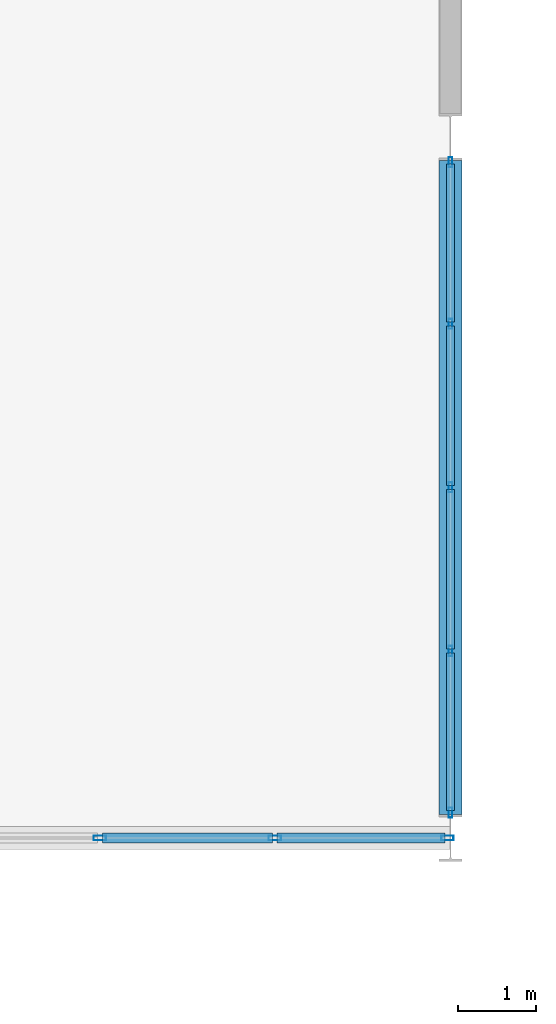
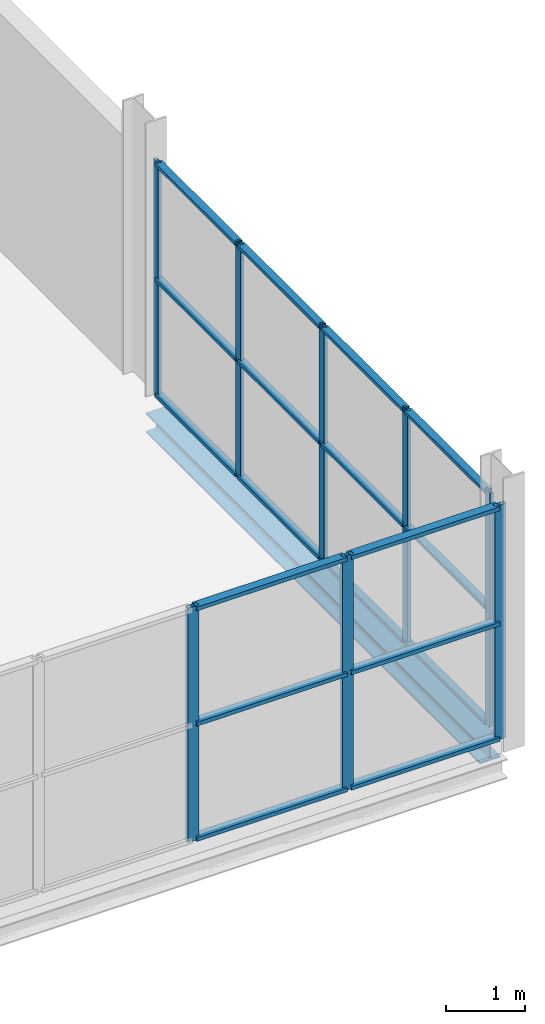
# One storey, part 21 of 44: 26 members, 1 beam, 2 elements without a shape of their own.
"""IFC4 building model written with IfcOpenShell, lengths in metres."""

from ifc_helpers import new_model, si_unit, direction, frame, origin, origin_2d, place, context, subcontext, project, spatial, hollow_rectangle, i_section, extrude, material, layer, layer_set, material_profile, profile_set, type_object, element, aggregate, save


model = new_model("IFC4")

# Units and contexts
model_context = context("Model", 3, precision=1e-05, world=origin(), true_north=direction((0.0, 1.0)))
body_context = subcontext(model_context, "Body", "Model", "MODEL_VIEW")
ifc_project = project(units=[si_unit("LENGTHUNIT", "METRE"), si_unit("AREAUNIT", "SQUARE_METRE"), si_unit("VOLUMEUNIT", "CUBIC_METRE"), si_unit("PLANEANGLEUNIT", "RADIAN"), si_unit("MASSUNIT", "GRAM", prefix="KILO")], contexts=[model_context])

# Site, building, storey
site_placement = place(None, origin())
site = spatial("IfcSite", under=ifc_project, at=site_placement, CompositionType="ELEMENT")
building_placement = place(site_placement, origin())
building = spatial("IfcBuilding", under=site, at=building_placement, Name="Deido Ridge Mobility Hub", CompositionType="ELEMENT")
storey_placement = place(building_placement, frame((0.0, 0.0, 25.199951171875)))
storey = spatial("IfcBuildingStorey", under=building, at=storey_placement, Name="L06", CompositionType="ELEMENT", Elevation=25.199951171875)

# Curtain wall, members
ifc_material_1 = material(Name="Anodised aluminium EN AW-6063 T6", Category="aluminium")
ifc_layer_1 = layer(ifc_material_1, 0.1650390625, Name="Anodised aluminium EN AW-6063 T6")
ifc_layer_set_1 = layer_set([ifc_layer_1], Name="Anodised aluminium EN AW-6063 T6")
curtain_wall_type_1 = type_object("IfcCurtainWallType", Name="CW-UF-1", PredefinedType="USERDEFINED", material=ifc_layer_set_1)
curtain_wall_1_placement = place(storey_placement, origin())
curtain_wall_1 = element("IfcCurtainWall", 1, at=curtain_wall_1_placement, inside=storey, type_object=curtain_wall_type_1, Name="Unitised curtain wall CW1", ObjectType="UNITISED FACADE", PredefinedType="USERDEFINED")
ifc_material_profile_1 = material_profile(ifc_material_1, hollow_rectangle(XDim=0.050048828125, YDim=0.1298828125, WallThickness=0.00390625, at=origin_2d()), Name="RHS 50x130x4")
ifc_profile_set_1 = profile_set([ifc_material_profile_1], Name="Anodised aluminium EN AW-6063 T6")
member_type_1 = type_object("IfcMemberType", Name="MEM-MUL-50X130", PredefinedType="MULLION", material=ifc_profile_set_1)
member_1_placement = place(storey_placement, frame((180.0, 0.324951171875, 0.0), z_axis=(0.0, 0.0, 1.0), x_axis=(-1.0, 0.0, 0.0)))
member_1 = element("IfcMember", 2, at=member_1_placement, type_object=member_type_1, Name="CW1 mullion 1", PredefinedType="MULLION", context=body_context, shape_type="SweptSolid", body=[
    extrude(hollow_rectangle(XDim=0.050048828125, YDim=0.1298828125, WallThickness=0.00390625, at=origin_2d()), origin(), (0.0, 0.0, 1.0), 3.60009765625),
])
member_2_placement = place(storey_placement, frame((180.0, 2.39990234375, 0.0), z_axis=(0.0, 0.0, 1.0), x_axis=(-1.0, 0.0, 0.0)))
member_2 = element("IfcMember", 3, at=member_2_placement, type_object=member_type_1, Name="CW1 mullion 2", PredefinedType="MULLION", context=body_context, shape_type="SweptSolid", body=[
    extrude(hollow_rectangle(XDim=0.050048828125, YDim=0.1298828125, WallThickness=0.00390625, at=origin_2d()), origin(), (0.0, 0.0, 1.0), 3.60009765625),
])
member_3_placement = place(storey_placement, frame((180.0, 4.5, 0.0), z_axis=(0.0, 0.0, 1.0), x_axis=(-1.0, 0.0, 0.0)))
member_3 = element("IfcMember", 4, at=member_3_placement, type_object=member_type_1, Name="CW1 mullion 3", PredefinedType="MULLION", context=body_context, shape_type="SweptSolid", body=[
    extrude(hollow_rectangle(XDim=0.050048828125, YDim=0.1298828125, WallThickness=0.00390625, at=origin_2d()), origin(), (0.0, 0.0, 1.0), 3.60009765625),
])
member_4_placement = place(storey_placement, frame((180.0, 6.60009765625, 0.0), z_axis=(0.0, 0.0, 1.0), x_axis=(-1.0, 0.0, 0.0)))
member_4 = element("IfcMember", 5, at=member_4_placement, type_object=member_type_1, Name="CW1 mullion 4", PredefinedType="MULLION", context=body_context, shape_type="SweptSolid", body=[
    extrude(hollow_rectangle(XDim=0.050048828125, YDim=0.1298828125, WallThickness=0.00390625, at=origin_2d()), origin(), (0.0, 0.0, 1.0), 3.60009765625),
])
member_5_placement = place(storey_placement, frame((180.0, 8.675048828125, 0.0), z_axis=(0.0, 0.0, 1.0), x_axis=(-1.0, 0.0, 0.0)))
member_5 = element("IfcMember", 6, at=member_5_placement, type_object=member_type_1, Name="CW1 mullion 5", PredefinedType="MULLION", context=body_context, shape_type="SweptSolid", body=[
    extrude(hollow_rectangle(XDim=0.050048828125, YDim=0.1298828125, WallThickness=0.00390625, at=origin_2d()), origin(), (0.0, 0.0, 1.0), 3.60009765625),
])

ifc_layer_2 = layer(ifc_material_1, 0.195068359375, Name="Anodised aluminium EN AW-6063 T6")
ifc_layer_set_2 = layer_set([ifc_layer_2], Name="Anodised aluminium EN AW-6063 T6")
curtain_wall_type_2 = type_object("IfcCurtainWallType", Name="CW-UF-3", PredefinedType="USERDEFINED", material=ifc_layer_set_2)
curtain_wall_2_placement = place(storey_placement, origin())
curtain_wall_2 = element("IfcCurtainWall", 7, at=curtain_wall_2_placement, inside=storey, type_object=curtain_wall_type_2, Name="Unitised curtain wall CW3", ObjectType="UNITISED FACADE", PredefinedType="USERDEFINED")
ifc_material_profile_2 = material_profile(ifc_material_1, hollow_rectangle(XDim=0.06005859375, YDim=0.159912109375, WallThickness=0.00390625, at=origin_2d()), Name="RHS 60x160x4")
ifc_profile_set_2 = profile_set([ifc_material_profile_2], Name="Anodised aluminium EN AW-6063 T6")
member_type_2 = type_object("IfcMemberType", Name="MEM-MUL-60X160", PredefinedType="MULLION", material=ifc_profile_set_2)
member_6_placement = place(storey_placement, frame((175.5, 0.0, 0.0), z_axis=(0.0, 0.0, 1.0), x_axis=(0.0, 1.0, 0.0)))
member_6 = element("IfcMember", 8, at=member_6_placement, type_object=member_type_2, Name="CW3 mullion 3", PredefinedType="MULLION", context=body_context, shape_type="SweptSolid", body=[
    extrude(hollow_rectangle(XDim=0.06005859375, YDim=0.159912109375, WallThickness=0.00390625, at=origin_2d()), origin(), (0.0, 0.0, 1.0), 3.60009765625),
])
member_7_placement = place(storey_placement, frame((177.74609375, 0.0, 0.0), z_axis=(0.0, 0.0, 1.0), x_axis=(0.0, 1.0, 0.0)))
member_7 = element("IfcMember", 9, at=member_7_placement, type_object=member_type_2, Name="CW3 mullion 4", PredefinedType="MULLION", context=body_context, shape_type="SweptSolid", body=[
    extrude(hollow_rectangle(XDim=0.06005859375, YDim=0.159912109375, WallThickness=0.00390625, at=origin_2d()), origin(), (0.0, 0.0, 1.0), 3.60009765625),
])
member_8_placement = place(storey_placement, frame((179.96240234375, 0.0, 0.0), z_axis=(0.0, 0.0, 1.0), x_axis=(0.0, 1.0, 0.0)))
member_8 = element("IfcMember", 10, at=member_8_placement, type_object=member_type_2, Name="CW3 mullion 5", PredefinedType="MULLION", context=body_context, shape_type="SweptSolid", body=[
    extrude(hollow_rectangle(XDim=0.06005859375, YDim=0.159912109375, WallThickness=0.00390625, at=origin_2d()), origin(), (0.0, 0.0, 1.0), 3.60009765625),
])

# Member
ifc_material_profile_3 = material_profile(ifc_material_1, hollow_rectangle(XDim=0.10498046875, YDim=0.050048828125, WallThickness=0.00390625, at=origin_2d()), Name="RHS 105x50x4")
ifc_profile_set_3 = profile_set([ifc_material_profile_3], Name="Anodised aluminium EN AW-6063 T6")
member_type_3 = type_object("IfcMemberType", Name="MEM-TRN-105X50", PredefinedType="USERDEFINED", material=ifc_profile_set_3)
member_9_placement = place(storey_placement, frame((180.0, 0.35009765625, 0.025146484375), z_axis=(0.0, 1.0, 0.0), x_axis=(-1.0, 0.0, 0.0)))
member_9 = element("IfcMember", 11, at=member_9_placement, type_object=member_type_3, Name="CW1 transom 1.1", ObjectType="TRANSOM", PredefinedType="USERDEFINED", context=body_context, shape_type="SweptSolid", body=[
    extrude(hollow_rectangle(XDim=0.10498046875, YDim=0.050048828125, WallThickness=0.00390625, at=origin_2d()), origin(), (0.0, 0.0, 1.0), 2.02490234375),
])

member_10_placement = place(storey_placement, frame((180.0, 0.35009765625, 1.800048828125), z_axis=(0.0, 1.0, 0.0), x_axis=(-1.0, 0.0, 0.0)))
member_10 = element("IfcMember", 12, at=member_10_placement, type_object=member_type_3, Name="CW1 transom 1.2", ObjectType="TRANSOM", PredefinedType="USERDEFINED", context=body_context, shape_type="SweptSolid", body=[
    extrude(hollow_rectangle(XDim=0.10498046875, YDim=0.050048828125, WallThickness=0.00390625, at=origin_2d()), origin(), (0.0, 0.0, 1.0), 2.02490234375),
])

member_11_placement = place(storey_placement, frame((180.0, 0.35009765625, 3.574951171875), z_axis=(0.0, 1.0, 0.0), x_axis=(-1.0, 0.0, 0.0)))
member_11 = element("IfcMember", 13, at=member_11_placement, type_object=member_type_3, Name="CW1 transom 1.3", ObjectType="TRANSOM", PredefinedType="USERDEFINED", context=body_context, shape_type="SweptSolid", body=[
    extrude(hollow_rectangle(XDim=0.10498046875, YDim=0.050048828125, WallThickness=0.00390625, at=origin_2d()), origin(), (0.0, 0.0, 1.0), 2.02490234375),
])

member_12_placement = place(storey_placement, frame((180.0, 2.425048828125, 0.025146484375), z_axis=(0.0, 1.0, 0.0), x_axis=(-1.0, 0.0, 0.0)))
member_12 = element("IfcMember", 14, at=member_12_placement, type_object=member_type_3, Name="CW1 transom 2.1", ObjectType="TRANSOM", PredefinedType="USERDEFINED", context=body_context, shape_type="SweptSolid", body=[
    extrude(hollow_rectangle(XDim=0.10498046875, YDim=0.050048828125, WallThickness=0.00390625, at=origin_2d()), origin(), (0.0, 0.0, 1.0), 2.050048828125),
])

member_13_placement = place(storey_placement, frame((180.0, 2.425048828125, 1.800048828125), z_axis=(0.0, 1.0, 0.0), x_axis=(-1.0, 0.0, 0.0)))
member_13 = element("IfcMember", 15, at=member_13_placement, type_object=member_type_3, Name="CW1 transom 2.2", ObjectType="TRANSOM", PredefinedType="USERDEFINED", context=body_context, shape_type="SweptSolid", body=[
    extrude(hollow_rectangle(XDim=0.10498046875, YDim=0.050048828125, WallThickness=0.00390625, at=origin_2d()), origin(), (0.0, 0.0, 1.0), 2.050048828125),
])

member_14_placement = place(storey_placement, frame((180.0, 2.425048828125, 3.574951171875), z_axis=(0.0, 1.0, 0.0), x_axis=(-1.0, 0.0, 0.0)))
member_14 = element("IfcMember", 16, at=member_14_placement, type_object=member_type_3, Name="CW1 transom 2.3", ObjectType="TRANSOM", PredefinedType="USERDEFINED", context=body_context, shape_type="SweptSolid", body=[
    extrude(hollow_rectangle(XDim=0.10498046875, YDim=0.050048828125, WallThickness=0.00390625, at=origin_2d()), origin(), (0.0, 0.0, 1.0), 2.050048828125),
])

member_15_placement = place(storey_placement, frame((180.0, 4.52490234375, 0.025146484375), z_axis=(0.0, 1.0, 0.0), x_axis=(-1.0, 0.0, 0.0)))
member_15 = element("IfcMember", 17, at=member_15_placement, type_object=member_type_3, Name="CW1 transom 3.1", ObjectType="TRANSOM", PredefinedType="USERDEFINED", context=body_context, shape_type="SweptSolid", body=[
    extrude(hollow_rectangle(XDim=0.10498046875, YDim=0.050048828125, WallThickness=0.00390625, at=origin_2d()), origin(), (0.0, 0.0, 1.0), 2.050048828125),
])

member_16_placement = place(storey_placement, frame((180.0, 4.52490234375, 1.800048828125), z_axis=(0.0, 1.0, 0.0), x_axis=(-1.0, 0.0, 0.0)))
member_16 = element("IfcMember", 18, at=member_16_placement, type_object=member_type_3, Name="CW1 transom 3.2", ObjectType="TRANSOM", PredefinedType="USERDEFINED", context=body_context, shape_type="SweptSolid", body=[
    extrude(hollow_rectangle(XDim=0.10498046875, YDim=0.050048828125, WallThickness=0.00390625, at=origin_2d()), origin(), (0.0, 0.0, 1.0), 2.050048828125),
])

member_17_placement = place(storey_placement, frame((180.0, 4.52490234375, 3.574951171875), z_axis=(0.0, 1.0, 0.0), x_axis=(-1.0, 0.0, 0.0)))
member_17 = element("IfcMember", 19, at=member_17_placement, type_object=member_type_3, Name="CW1 transom 3.3", ObjectType="TRANSOM", PredefinedType="USERDEFINED", context=body_context, shape_type="SweptSolid", body=[
    extrude(hollow_rectangle(XDim=0.10498046875, YDim=0.050048828125, WallThickness=0.00390625, at=origin_2d()), origin(), (0.0, 0.0, 1.0), 2.050048828125),
])

member_18_placement = place(storey_placement, frame((180.0, 6.625, 0.025146484375), z_axis=(0.0, 1.0, 0.0), x_axis=(-1.0, 0.0, 0.0)))
member_18 = element("IfcMember", 20, at=member_18_placement, type_object=member_type_3, Name="CW1 transom 4.1", ObjectType="TRANSOM", PredefinedType="USERDEFINED", context=body_context, shape_type="SweptSolid", body=[
    extrude(hollow_rectangle(XDim=0.10498046875, YDim=0.050048828125, WallThickness=0.00390625, at=origin_2d()), origin(), (0.0, 0.0, 1.0), 2.02490234375),
])

member_19_placement = place(storey_placement, frame((180.0, 6.625, 1.800048828125), z_axis=(0.0, 1.0, 0.0), x_axis=(-1.0, 0.0, 0.0)))
member_19 = element("IfcMember", 21, at=member_19_placement, type_object=member_type_3, Name="CW1 transom 4.2", ObjectType="TRANSOM", PredefinedType="USERDEFINED", context=body_context, shape_type="SweptSolid", body=[
    extrude(hollow_rectangle(XDim=0.10498046875, YDim=0.050048828125, WallThickness=0.00390625, at=origin_2d()), origin(), (0.0, 0.0, 1.0), 2.02490234375),
])

member_20_placement = place(storey_placement, frame((180.0, 6.625, 3.574951171875), z_axis=(0.0, 1.0, 0.0), x_axis=(-1.0, 0.0, 0.0)))
member_20 = element("IfcMember", 22, at=member_20_placement, type_object=member_type_3, Name="CW1 transom 4.3", ObjectType="TRANSOM", PredefinedType="USERDEFINED", context=body_context, shape_type="SweptSolid", body=[
    extrude(hollow_rectangle(XDim=0.10498046875, YDim=0.050048828125, WallThickness=0.00390625, at=origin_2d()), origin(), (0.0, 0.0, 1.0), 2.02490234375),
])

aggregate(curtain_wall_1, [member_1, member_2, member_3, member_4, member_5, member_9, member_10, member_11, member_12, member_13, member_14, member_15, member_16, member_17, member_18, member_19, member_20])

ifc_material_profile_4 = material_profile(ifc_material_1, hollow_rectangle(XDim=0.125, YDim=0.06005859375, WallThickness=0.00390625, at=origin_2d()), Name="RHS 125x60x4")
ifc_profile_set_4 = profile_set([ifc_material_profile_4], Name="Anodised aluminium EN AW-6063 T6")
member_type_4 = type_object("IfcMemberType", Name="MEM-TRN-125X60", PredefinedType="USERDEFINED", material=ifc_profile_set_4)
member_21_placement = place(storey_placement, frame((175.530029296875, 0.0, 0.030029296875), z_axis=(1.0, 0.0, 0.0), x_axis=(0.0, 1.0, 0.0)))
member_21 = element("IfcMember", 23, at=member_21_placement, type_object=member_type_4, Name="CW3 transom 3.1", ObjectType="TRANSOM", PredefinedType="USERDEFINED", context=body_context, shape_type="SweptSolid", body=[
    extrude(hollow_rectangle(XDim=0.125, YDim=0.06005859375, WallThickness=0.00390625, at=origin_2d()), origin(), (0.0, 0.0, 1.0), 2.18603515625),
])

member_22_placement = place(storey_placement, frame((175.530029296875, 0.0, 1.800048828125), z_axis=(1.0, 0.0, 0.0), x_axis=(0.0, 1.0, 0.0)))
member_22 = element("IfcMember", 24, at=member_22_placement, type_object=member_type_4, Name="CW3 transom 3.2", ObjectType="TRANSOM", PredefinedType="USERDEFINED", context=body_context, shape_type="SweptSolid", body=[
    extrude(hollow_rectangle(XDim=0.125, YDim=0.06005859375, WallThickness=0.00390625, at=origin_2d()), origin(), (0.0, 0.0, 1.0), 2.18603515625),
])

member_23_placement = place(storey_placement, frame((175.530029296875, 0.0, 3.570068359375), z_axis=(1.0, 0.0, 0.0), x_axis=(0.0, 1.0, 0.0)))
member_23 = element("IfcMember", 25, at=member_23_placement, type_object=member_type_4, Name="CW3 transom 3.3", ObjectType="TRANSOM", PredefinedType="USERDEFINED", context=body_context, shape_type="SweptSolid", body=[
    extrude(hollow_rectangle(XDim=0.125, YDim=0.06005859375, WallThickness=0.00390625, at=origin_2d()), origin(), (0.0, 0.0, 1.0), 2.18603515625),
])

member_24_placement = place(storey_placement, frame((177.776123046875, 0.0, 0.030029296875), z_axis=(1.0, 0.0, 0.0), x_axis=(0.0, 1.0, 0.0)))
member_24 = element("IfcMember", 26, at=member_24_placement, type_object=member_type_4, Name="CW3 transom 4.1", ObjectType="TRANSOM", PredefinedType="USERDEFINED", context=body_context, shape_type="SweptSolid", body=[
    extrude(hollow_rectangle(XDim=0.125, YDim=0.06005859375, WallThickness=0.00390625, at=origin_2d()), origin(), (0.0, 0.0, 1.0), 2.15625),
])

member_25_placement = place(storey_placement, frame((177.776123046875, 0.0, 1.800048828125), z_axis=(1.0, 0.0, 0.0), x_axis=(0.0, 1.0, 0.0)))
member_25 = element("IfcMember", 27, at=member_25_placement, type_object=member_type_4, Name="CW3 transom 4.2", ObjectType="TRANSOM", PredefinedType="USERDEFINED", context=body_context, shape_type="SweptSolid", body=[
    extrude(hollow_rectangle(XDim=0.125, YDim=0.06005859375, WallThickness=0.00390625, at=origin_2d()), origin(), (0.0, 0.0, 1.0), 2.15625),
])

member_26_placement = place(storey_placement, frame((177.776123046875, 0.0, 3.570068359375), z_axis=(1.0, 0.0, 0.0), x_axis=(0.0, 1.0, 0.0)))
member_26 = element("IfcMember", 28, at=member_26_placement, type_object=member_type_4, Name="CW3 transom 4.3", ObjectType="TRANSOM", PredefinedType="USERDEFINED", context=body_context, shape_type="SweptSolid", body=[
    extrude(hollow_rectangle(XDim=0.125, YDim=0.06005859375, WallThickness=0.00390625, at=origin_2d()), origin(), (0.0, 0.0, 1.0), 2.15625),
])

aggregate(curtain_wall_2, [member_6, member_7, member_8, member_21, member_22, member_23, member_24, member_25, member_26])

# Beam
ifc_material_2 = material(Name="Steel S355J2 EN 10025-2", Category="steel")
ifc_material_profile_5 = material_profile(ifc_material_2, i_section(OverallWidth=0.300048828125, OverallDepth=0.300048828125, WebThickness=0.010986328125, FlangeThickness=0.01904296875, FilletRadius=0.027099609375, at=origin_2d()), Name="HEB 300")
ifc_profile_set_5 = profile_set([ifc_material_profile_5], Name="Steel S355J2 EN 10025-2")
beam_type = type_object("IfcBeamType", Name="SPD-HEB300", PredefinedType="SPANDREL", material=ifc_profile_set_5)
beam_placement = place(storey_placement, frame((180.0, 0.300048828125, -0.389892578125), z_axis=(0.0, 1.0, 0.0), x_axis=(-1.0, 0.0, 0.0)))
element("IfcBeam", 29, at=beam_placement, inside=storey, type_object=beam_type, Name="Floor beam SP1", PredefinedType="SPANDREL", context=body_context, shape_type="SweptSolid", body=[
    extrude(i_section(OverallWidth=0.300048828125, OverallDepth=0.300048828125, WebThickness=0.010986328125, FlangeThickness=0.01904296875, FilletRadius=0.027099609375, at=origin_2d()), origin(), (0.0, 0.0, 1.0), 8.39990234375),
])

save(model, "model.ifc")
